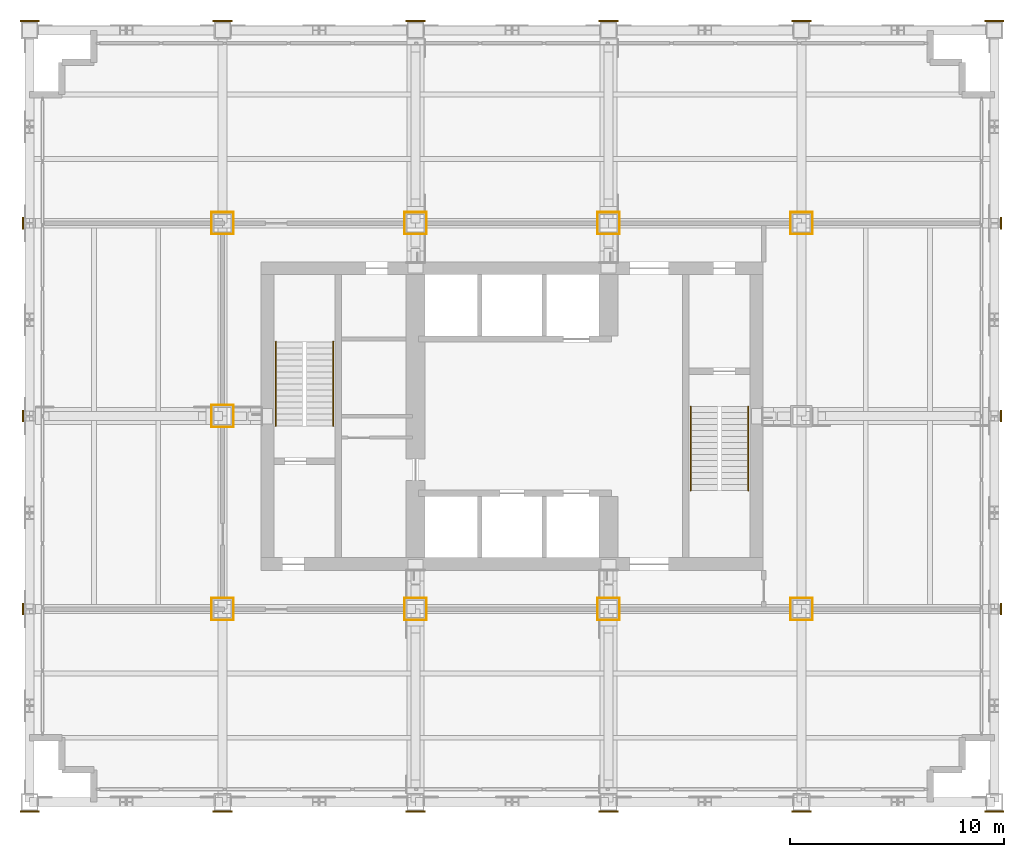
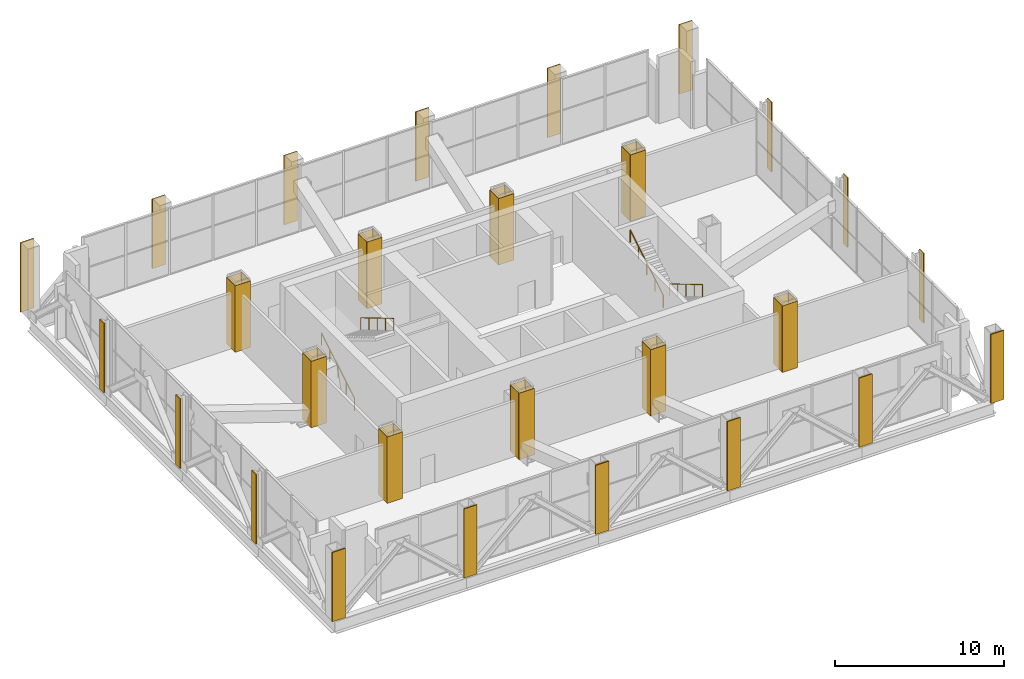
# One storey, part 16 of 16: 54 coverings, 4 railings.
"""IFC4 building model written with IfcOpenShell, lengths in metres."""

import ifcopenshell
import ifcopenshell.guid

model = None  # the IFC model being written
_history = None  # IfcOwnerHistory: only IFC2X3 demands one
_inside = {}  # id of a spatial element -> (the spatial element, [elements in it])
_under = {}  # id of a project, library or spatial element -> (it, [spatial elements below it])
_declared = {}  # id of a project -> (the project, [libraries it declares])
_typed = {}  # id of a type object -> (the type object, [elements of that type])
_made_of = {}  # id of a material, layer set ... -> (it, [elements and type objects made of it])


def new_model(schema):
    """Start an empty IFC model of exactly this schema.

    Asked for "IFC4X3", IfcOpenShell would pick the latest addendum, in which some entities
    have other attributes; the version numbers below select the first issue.
    IFC2X3 requires an IfcOwnerHistory on every rooted entity: one is made here for all.
    """
    global model, _history
    if schema == "IFC4X3":
        model = ifcopenshell.file(schema_version=(4, 3, 0, 0))
    else:
        model = ifcopenshell.file(schema=schema)
    _inside.clear()
    _under.clear()
    _declared.clear()
    _typed.clear()
    _made_of.clear()
    _history = None
    if model.schema == "IFC2X3":
        org = make("IfcOrganization", Name="unknown")
        user = make(
            "IfcPersonAndOrganization",
            ThePerson=make("IfcPerson", FamilyName="unknown"),
            TheOrganization=org,
        )
        app = make(
            "IfcApplication",
            ApplicationDeveloper=org,
            Version="unknown",
            ApplicationFullName="unknown",
            ApplicationIdentifier="unknown",
        )
        _history = make(
            "IfcOwnerHistory",
            OwningUser=user,
            OwningApplication=app,
            ChangeAction="ADDED",
            CreationDate=0,
        )
    return model


def make(cls, **values):
    """One entity of the class cls with the attributes given. An attribute that is None is left unset."""
    return model.create_entity(
        cls, **{name: value for name, value in values.items() if value is not None}
    )


def rooted(cls, **values):
    """An entity with a GlobalId (a new one), such as an element, a storey or a relation."""
    return make(cls, GlobalId=ifcopenshell.guid.new(), OwnerHistory=_history, **values)


def si_unit(unit_type, name, prefix=None):
    """IfcSIUnit, for example si_unit("LENGTHUNIT", "METRE", prefix="MILLI")."""
    return make("IfcSIUnit", UnitType=unit_type, Prefix=prefix, Name=name)


def assignment(units):
    """IfcUnitAssignment: the units of a project."""
    return None if units is None else make("IfcUnitAssignment", Units=units)


def point(xyz):
    """IfcCartesianPoint."""
    return None if xyz is None else make("IfcCartesianPoint", Coordinates=xyz)


def direction(xyz):
    """IfcDirection."""
    return None if xyz is None else make("IfcDirection", DirectionRatios=xyz)


def frame(location, z_axis=None, x_axis=None):
    """IfcAxis2Placement3D, a coordinate frame: its origin and axes. An axis left out is left unset."""
    return make(
        "IfcAxis2Placement3D",
        Location=point(location),
        Axis=direction(z_axis),
        RefDirection=direction(x_axis),
    )


def frame_2d(location, x_axis=None):
    """IfcAxis2Placement2D, a coordinate frame in the plane: its origin and x axis."""
    return make(
        "IfcAxis2Placement2D", Location=point(location), RefDirection=direction(x_axis)
    )


def origin():
    """The frame at (0, 0, 0) with its axes left unset."""
    return frame((0.0, 0.0, 0.0))


def origin_2d():
    """The frame at (0, 0) in the plane with its x axis left unset."""
    return frame_2d((0.0, 0.0))


def place(relative_to, where):
    """IfcLocalPlacement: puts the frame where relative to a parent placement (None: the world)."""
    return make(
        "IfcLocalPlacement", PlacementRelTo=relative_to, RelativePlacement=where
    )


def context(
    kind, dimensions, precision=None, world=None, true_north=None, identifier=None
):
    """IfcGeometricRepresentationContext, for example the 3D "Model" context."""
    return make(
        "IfcGeometricRepresentationContext",
        ContextIdentifier=identifier,
        ContextType=kind,
        CoordinateSpaceDimension=dimensions,
        Precision=precision,
        WorldCoordinateSystem=world,
        TrueNorth=true_north,
    )


def subcontext(parent, identifier, kind, view, scale=None):
    """IfcGeometricRepresentationSubContext, for example "Body" below "Model"."""
    return make(
        "IfcGeometricRepresentationSubContext",
        ContextIdentifier=identifier,
        ContextType=kind,
        ParentContext=parent,
        TargetScale=scale,
        TargetView=view,
    )


def project(units=None, contexts=None):
    """IfcProject with its units and contexts."""
    return rooted(
        "IfcProject",
        Name="project",
        RepresentationContexts=contexts,
        UnitsInContext=assignment(units),
    )


def spatial(cls, under=None, at=None, **own):
    """A site, building, storey or space (cls), placed at a placement, below another one or the project."""
    s = rooted(cls, ObjectPlacement=at, **own)
    if under is not None:
        _under.setdefault(under.id(), (under, []))[1].append(s)
    return s


def profile(cls, at=None, kind="AREA", **sizes):
    """A parametric profile (cls). Its sizes go by their IFC names, for example OverallWidth=200.0."""
    return make(cls, ProfileType=kind, Position=at, **sizes)


def rectangle(**sizes):
    """IfcRectangleProfileDef."""
    return profile("IfcRectangleProfileDef", **sizes)


def circle(**sizes):
    """IfcCircleProfileDef."""
    return profile("IfcCircleProfileDef", **sizes)


def extrude(swept, where, along, depth):
    """IfcExtrudedAreaSolid: the profile swept, set in the frame where, extruded along a direction by depth."""
    return make(
        "IfcExtrudedAreaSolid",
        SweptArea=swept,
        Position=where,
        ExtrudedDirection=direction(along),
        Depth=depth,
    )


def shape(context_of_items, identifier, shape_type, items):
    """IfcShapeRepresentation: the items that make up one representation, for example the "Body"."""
    return make(
        "IfcShapeRepresentation",
        ContextOfItems=context_of_items,
        RepresentationIdentifier=identifier,
        RepresentationType=shape_type,
        Items=items,
    )


def material(Name=None, Category=None):
    """IfcMaterial."""
    return make("IfcMaterial", Name=Name, Category=Category)


def layer(
    of_material, thickness, ventilated=None, Name=None, Category=None, Priority=None
):
    """IfcMaterialLayer: one layer of a wall or slab, of a material (None: an air gap)."""
    return make(
        "IfcMaterialLayer",
        Material=of_material,
        LayerThickness=thickness,
        IsVentilated=ventilated,
        Name=Name,
        Category=Category,
        Priority=Priority,
    )


def layer_set(layers, Name=None):
    """IfcMaterialLayerSet."""
    return make("IfcMaterialLayerSet", MaterialLayers=layers, LayerSetName=Name)


def made_of(thing, what):
    """Note that an element or type object is made of a material, layer set ...; save() writes the relation."""
    if what is not None:
        _made_of.setdefault(what.id(), (what, []))[1].append(thing)
    return thing


def type_object(cls, material=None, **own):
    """A type object (cls), such as IfcWallType, which elements share."""
    return made_of(rooted(cls, **own), material)


def element(
    cls,
    number,
    at=None,
    inside=None,
    cuts=None,
    type_object=None,
    material=None,
    context=None,
    identifier="Body",
    shape_type=None,
    held_by="IfcProductDefinitionShape",
    body=None,
    shapes=None,
    **own,
):
    """One element of the class cls, such as IfcWall. Its Tag is "e" and its number.

    at: its placement. inside: the storey or other place that contains it. cuts: it is an
    opening in that element (IfcRelVoidsElement). A single representation is given by context,
    identifier, shape_type and body (its items); several are given by shapes. held_by: the class
    of the entity that holds the representations. save() writes the other relations.
    """
    e = rooted(cls, Tag="e%d" % number, ObjectPlacement=at, **own)
    if body is not None:
        shapes = [shape(context, identifier, shape_type, body)]
    if shapes is not None:
        e.Representation = make(held_by, Representations=shapes)
    if inside is not None:
        _inside.setdefault(inside.id(), (inside, []))[1].append(e)
    if cuts is not None:
        rooted(
            "IfcRelVoidsElement", RelatingBuildingElement=cuts, RelatedOpeningElement=e
        )
    if type_object is not None:
        _typed.setdefault(type_object.id(), (type_object, []))[1].append(e)
    return made_of(e, material)


def aggregate(whole, parts):
    """IfcRelAggregates: a whole, such as a stair, and the parts it consists of."""
    return rooted("IfcRelAggregates", RelatingObject=whole, RelatedObjects=parts)


def save(model, path):
    """Write the relations noted so far, then the file.

    IfcRelAggregates (storeys below a building ...), IfcRelContainedInSpatialStructure (elements
    in a storey), IfcRelDefinesByType, IfcRelAssociatesMaterial and IfcRelDeclares: one each for
    every whole, place, type object, material and project.
    """
    for whole, parts in _under.values():
        aggregate(whole, parts)
    for where, things in _inside.values():
        rooted(
            "IfcRelContainedInSpatialStructure",
            RelatedElements=things,
            RelatingStructure=where,
        )
    for kind, things in _typed.values():
        rooted("IfcRelDefinesByType", RelatedObjects=things, RelatingType=kind)
    for what, things in _made_of.values():
        rooted("IfcRelAssociatesMaterial", RelatedObjects=things, RelatingMaterial=what)
    for by, libraries in _declared.values():
        rooted("IfcRelDeclares", RelatingContext=by, RelatedDefinitions=libraries)
    model.write(path)


model = new_model("IFC4")

# Units and contexts
model_context = context("Model", 3, precision=1e-05, world=origin(), true_north=direction((0.0, 1.0)))
body_context = subcontext(model_context, "Body", "Model", "MODEL_VIEW")
ifc_project = project(units=[si_unit("LENGTHUNIT", "METRE"), si_unit("AREAUNIT", "SQUARE_METRE"), si_unit("VOLUMEUNIT", "CUBIC_METRE"), si_unit("PLANEANGLEUNIT", "RADIAN"), si_unit("MASSUNIT", "GRAM", prefix="KILO")], contexts=[model_context])

# Site, building, storey
site_placement = place(None, origin())
site = spatial("IfcSite", under=ifc_project, at=site_placement, CompositionType="ELEMENT")
building_placement = place(site_placement, origin())
building = spatial("IfcBuilding", under=site, at=building_placement, Name="Loomwork Tower", CompositionType="ELEMENT")
storey_placement = place(building_placement, frame((0.0, 0.0, 155.39990234375)))
storey = spatial("IfcBuildingStorey", under=building, at=storey_placement, Name="L42", CompositionType="ELEMENT", Elevation=155.39990234375)

# Coverings
ifc_material_1 = material(Name="Two-hour fire-rated gypsum board casing")
ifc_layer_1 = layer(ifc_material_1, 0.02490234375)
ifc_layer_set_1 = layer_set([ifc_layer_1], Name="Column fire casing 25")
covering_type_1 = type_object("IfcCoveringType", Name="Column fire casing 25", PredefinedType="CLADDING", material=ifc_layer_set_1)
for number, where, z_axis, x_axis, name in (
    (1, (9.0, 9.512451171875, 0.0), (0.0, 0.0, 1.0), (1.0, 0.0, 0.0), "Column casing 9 9 L42"),
    (2, (9.0, 8.487548828125, 0.0), (0.0, 0.0, 1.0), (1.0, 0.0, 0.0), "Column casing 9 9 L42"),
):
    element("IfcCovering", number, at=place(storey_placement, frame(where, z_axis=z_axis, x_axis=x_axis)), inside=storey, type_object=covering_type_1, Name=name, PredefinedType="CLADDING", context=body_context, shape_type="SweptSolid", body=[
        extrude(rectangle(XDim=1.050048828125, YDim=0.02490234375, at=origin_2d()), origin(), (0.0, 0.0, 1.0), 4.800048828125),
    ])
for number, where, z_axis, x_axis, name in (
    (3, (9.512451171875, 9.0, 0.0), (0.0, 0.0, 1.0), (1.0, 0.0, 0.0), "Column casing 9 9 L42"),
    (4, (8.487548828125, 9.0, 0.0), (0.0, 0.0, 1.0), (1.0, 0.0, 0.0), "Column casing 9 9 L42"),
):
    element("IfcCovering", number, at=place(storey_placement, frame(where, z_axis=z_axis, x_axis=x_axis)), inside=storey, type_object=covering_type_1, Name=name, PredefinedType="CLADDING", context=body_context, shape_type="SweptSolid", body=[
        extrude(rectangle(XDim=0.02490234375, YDim=1.0, at=origin_2d()), origin(), (0.0, 0.0, 1.0), 4.800048828125),
    ])
for number, where, z_axis, x_axis, name in (
    (5, (9.0, 18.512451171875, 0.0), (0.0, 0.0, 1.0), (1.0, 0.0, 0.0), "Column casing 9 18 L42"),
    (6, (9.0, 17.487548828125, 0.0), (0.0, 0.0, 1.0), (1.0, 0.0, 0.0), "Column casing 9 18 L42"),
):
    element("IfcCovering", number, at=place(storey_placement, frame(where, z_axis=z_axis, x_axis=x_axis)), inside=storey, type_object=covering_type_1, Name=name, PredefinedType="CLADDING", context=body_context, shape_type="SweptSolid", body=[
        extrude(rectangle(XDim=1.050048828125, YDim=0.02490234375, at=origin_2d()), origin(), (0.0, 0.0, 1.0), 4.800048828125),
    ])
for number, where, z_axis, x_axis, name in (
    (7, (9.512451171875, 18.0, 0.0), (0.0, 0.0, 1.0), (1.0, 0.0, 0.0), "Column casing 9 18 L42"),
    (8, (8.487548828125, 18.0, 0.0), (0.0, 0.0, 1.0), (1.0, 0.0, 0.0), "Column casing 9 18 L42"),
):
    element("IfcCovering", number, at=place(storey_placement, frame(where, z_axis=z_axis, x_axis=x_axis)), inside=storey, type_object=covering_type_1, Name=name, PredefinedType="CLADDING", context=body_context, shape_type="SweptSolid", body=[
        extrude(rectangle(XDim=0.02490234375, YDim=1.0, at=origin_2d()), origin(), (0.0, 0.0, 1.0), 4.800048828125),
    ])
for number, where, z_axis, x_axis, name in (
    (9, (9.0, 27.512451171875, 0.0), (0.0, 0.0, 1.0), (1.0, 0.0, 0.0), "Column casing 9 27 L42"),
    (10, (9.0, 26.487548828125, 0.0), (0.0, 0.0, 1.0), (1.0, 0.0, 0.0), "Column casing 9 27 L42"),
):
    element("IfcCovering", number, at=place(storey_placement, frame(where, z_axis=z_axis, x_axis=x_axis)), inside=storey, type_object=covering_type_1, Name=name, PredefinedType="CLADDING", context=body_context, shape_type="SweptSolid", body=[
        extrude(rectangle(XDim=1.050048828125, YDim=0.02490234375, at=origin_2d()), origin(), (0.0, 0.0, 1.0), 4.800048828125),
    ])
for number, where, z_axis, x_axis, name in (
    (11, (9.512451171875, 27.0, 0.0), (0.0, 0.0, 1.0), (1.0, 0.0, 0.0), "Column casing 9 27 L42"),
    (12, (8.487548828125, 27.0, 0.0), (0.0, 0.0, 1.0), (1.0, 0.0, 0.0), "Column casing 9 27 L42"),
):
    element("IfcCovering", number, at=place(storey_placement, frame(where, z_axis=z_axis, x_axis=x_axis)), inside=storey, type_object=covering_type_1, Name=name, PredefinedType="CLADDING", context=body_context, shape_type="SweptSolid", body=[
        extrude(rectangle(XDim=0.02490234375, YDim=1.0, at=origin_2d()), origin(), (0.0, 0.0, 1.0), 4.800048828125),
    ])
for number, where, z_axis, x_axis, name in (
    (13, (18.0, 9.512451171875, 0.0), (0.0, 0.0, 1.0), (1.0, 0.0, 0.0), "Column casing 18 9 L42"),
    (14, (18.0, 8.487548828125, 0.0), (0.0, 0.0, 1.0), (1.0, 0.0, 0.0), "Column casing 18 9 L42"),
):
    element("IfcCovering", number, at=place(storey_placement, frame(where, z_axis=z_axis, x_axis=x_axis)), inside=storey, type_object=covering_type_1, Name=name, PredefinedType="CLADDING", context=body_context, shape_type="SweptSolid", body=[
        extrude(rectangle(XDim=1.050048828125, YDim=0.02490234375, at=origin_2d()), origin(), (0.0, 0.0, 1.0), 4.800048828125),
    ])
for number, where, z_axis, x_axis, name in (
    (15, (18.512451171875, 9.0, 0.0), (0.0, 0.0, 1.0), (1.0, 0.0, 0.0), "Column casing 18 9 L42"),
    (16, (17.487548828125, 9.0, 0.0), (0.0, 0.0, 1.0), (1.0, 0.0, 0.0), "Column casing 18 9 L42"),
):
    element("IfcCovering", number, at=place(storey_placement, frame(where, z_axis=z_axis, x_axis=x_axis)), inside=storey, type_object=covering_type_1, Name=name, PredefinedType="CLADDING", context=body_context, shape_type="SweptSolid", body=[
        extrude(rectangle(XDim=0.02490234375, YDim=1.0, at=origin_2d()), origin(), (0.0, 0.0, 1.0), 4.800048828125),
    ])
for number, where, z_axis, x_axis, name in (
    (17, (18.0, 27.512451171875, 0.0), (0.0, 0.0, 1.0), (1.0, 0.0, 0.0), "Column casing 18 27 L42"),
    (18, (18.0, 26.487548828125, 0.0), (0.0, 0.0, 1.0), (1.0, 0.0, 0.0), "Column casing 18 27 L42"),
):
    element("IfcCovering", number, at=place(storey_placement, frame(where, z_axis=z_axis, x_axis=x_axis)), inside=storey, type_object=covering_type_1, Name=name, PredefinedType="CLADDING", context=body_context, shape_type="SweptSolid", body=[
        extrude(rectangle(XDim=1.050048828125, YDim=0.02490234375, at=origin_2d()), origin(), (0.0, 0.0, 1.0), 4.800048828125),
    ])
for number, where, z_axis, x_axis, name in (
    (19, (18.512451171875, 27.0, 0.0), (0.0, 0.0, 1.0), (1.0, 0.0, 0.0), "Column casing 18 27 L42"),
    (20, (17.487548828125, 27.0, 0.0), (0.0, 0.0, 1.0), (1.0, 0.0, 0.0), "Column casing 18 27 L42"),
):
    element("IfcCovering", number, at=place(storey_placement, frame(where, z_axis=z_axis, x_axis=x_axis)), inside=storey, type_object=covering_type_1, Name=name, PredefinedType="CLADDING", context=body_context, shape_type="SweptSolid", body=[
        extrude(rectangle(XDim=0.02490234375, YDim=1.0, at=origin_2d()), origin(), (0.0, 0.0, 1.0), 4.800048828125),
    ])
for number, where, z_axis, x_axis, name in (
    (21, (27.0, 9.512451171875, 0.0), (0.0, 0.0, 1.0), (1.0, 0.0, 0.0), "Column casing 27 9 L42"),
    (22, (27.0, 8.487548828125, 0.0), (0.0, 0.0, 1.0), (1.0, 0.0, 0.0), "Column casing 27 9 L42"),
):
    element("IfcCovering", number, at=place(storey_placement, frame(where, z_axis=z_axis, x_axis=x_axis)), inside=storey, type_object=covering_type_1, Name=name, PredefinedType="CLADDING", context=body_context, shape_type="SweptSolid", body=[
        extrude(rectangle(XDim=1.050048828125, YDim=0.02490234375, at=origin_2d()), origin(), (0.0, 0.0, 1.0), 4.800048828125),
    ])
for number, where, z_axis, x_axis, name in (
    (23, (27.512451171875, 9.0, 0.0), (0.0, 0.0, 1.0), (1.0, 0.0, 0.0), "Column casing 27 9 L42"),
    (24, (26.487548828125, 9.0, 0.0), (0.0, 0.0, 1.0), (1.0, 0.0, 0.0), "Column casing 27 9 L42"),
):
    element("IfcCovering", number, at=place(storey_placement, frame(where, z_axis=z_axis, x_axis=x_axis)), inside=storey, type_object=covering_type_1, Name=name, PredefinedType="CLADDING", context=body_context, shape_type="SweptSolid", body=[
        extrude(rectangle(XDim=0.02490234375, YDim=1.0, at=origin_2d()), origin(), (0.0, 0.0, 1.0), 4.800048828125),
    ])
for number, where, z_axis, x_axis, name in (
    (25, (27.0, 27.512451171875, 0.0), (0.0, 0.0, 1.0), (1.0, 0.0, 0.0), "Column casing 27 27 L42"),
    (26, (27.0, 26.487548828125, 0.0), (0.0, 0.0, 1.0), (1.0, 0.0, 0.0), "Column casing 27 27 L42"),
):
    element("IfcCovering", number, at=place(storey_placement, frame(where, z_axis=z_axis, x_axis=x_axis)), inside=storey, type_object=covering_type_1, Name=name, PredefinedType="CLADDING", context=body_context, shape_type="SweptSolid", body=[
        extrude(rectangle(XDim=1.050048828125, YDim=0.02490234375, at=origin_2d()), origin(), (0.0, 0.0, 1.0), 4.800048828125),
    ])
for number, where, z_axis, x_axis, name in (
    (27, (27.512451171875, 27.0, 0.0), (0.0, 0.0, 1.0), (1.0, 0.0, 0.0), "Column casing 27 27 L42"),
    (28, (26.487548828125, 27.0, 0.0), (0.0, 0.0, 1.0), (1.0, 0.0, 0.0), "Column casing 27 27 L42"),
):
    element("IfcCovering", number, at=place(storey_placement, frame(where, z_axis=z_axis, x_axis=x_axis)), inside=storey, type_object=covering_type_1, Name=name, PredefinedType="CLADDING", context=body_context, shape_type="SweptSolid", body=[
        extrude(rectangle(XDim=0.02490234375, YDim=1.0, at=origin_2d()), origin(), (0.0, 0.0, 1.0), 4.800048828125),
    ])
for number, where, z_axis, x_axis, name in (
    (29, (36.0, 9.512451171875, 0.0), (0.0, 0.0, 1.0), (1.0, 0.0, 0.0), "Column casing 36 9 L42"),
    (30, (36.0, 8.487548828125, 0.0), (0.0, 0.0, 1.0), (1.0, 0.0, 0.0), "Column casing 36 9 L42"),
):
    element("IfcCovering", number, at=place(storey_placement, frame(where, z_axis=z_axis, x_axis=x_axis)), inside=storey, type_object=covering_type_1, Name=name, PredefinedType="CLADDING", context=body_context, shape_type="SweptSolid", body=[
        extrude(rectangle(XDim=1.050048828125, YDim=0.02490234375, at=origin_2d()), origin(), (0.0, 0.0, 1.0), 4.800048828125),
    ])
for number, where, z_axis, x_axis, name in (
    (31, (36.512451171875, 9.0, 0.0), (0.0, 0.0, 1.0), (1.0, 0.0, 0.0), "Column casing 36 9 L42"),
    (32, (35.487548828125, 9.0, 0.0), (0.0, 0.0, 1.0), (1.0, 0.0, 0.0), "Column casing 36 9 L42"),
):
    element("IfcCovering", number, at=place(storey_placement, frame(where, z_axis=z_axis, x_axis=x_axis)), inside=storey, type_object=covering_type_1, Name=name, PredefinedType="CLADDING", context=body_context, shape_type="SweptSolid", body=[
        extrude(rectangle(XDim=0.02490234375, YDim=1.0, at=origin_2d()), origin(), (0.0, 0.0, 1.0), 4.800048828125),
    ])
for number, where, z_axis, x_axis, name in (
    (33, (36.0, 27.512451171875, 0.0), (0.0, 0.0, 1.0), (1.0, 0.0, 0.0), "Column casing 36 27 L42"),
    (34, (36.0, 26.487548828125, 0.0), (0.0, 0.0, 1.0), (1.0, 0.0, 0.0), "Column casing 36 27 L42"),
):
    element("IfcCovering", number, at=place(storey_placement, frame(where, z_axis=z_axis, x_axis=x_axis)), inside=storey, type_object=covering_type_1, Name=name, PredefinedType="CLADDING", context=body_context, shape_type="SweptSolid", body=[
        extrude(rectangle(XDim=1.050048828125, YDim=0.02490234375, at=origin_2d()), origin(), (0.0, 0.0, 1.0), 4.800048828125),
    ])
for number, where, z_axis, x_axis, name in (
    (35, (36.512451171875, 27.0, 0.0), (0.0, 0.0, 1.0), (1.0, 0.0, 0.0), "Column casing 36 27 L42"),
    (36, (35.487548828125, 27.0, 0.0), (0.0, 0.0, 1.0), (1.0, 0.0, 0.0), "Column casing 36 27 L42"),
):
    element("IfcCovering", number, at=place(storey_placement, frame(where, z_axis=z_axis, x_axis=x_axis)), inside=storey, type_object=covering_type_1, Name=name, PredefinedType="CLADDING", context=body_context, shape_type="SweptSolid", body=[
        extrude(rectangle(XDim=0.02490234375, YDim=1.0, at=origin_2d()), origin(), (0.0, 0.0, 1.0), 4.800048828125),
    ])

# Railings
ifc_material_2 = material(Name="Stainless steel handrail", Category="steel")
railing_type = type_object("IfcRailingType", Name="Handrail 900", PredefinedType="HANDRAIL", material=ifc_material_2)
railing_1_placement = place(storey_placement, frame((11.485107421875, 17.550048828125, 0.166748046875)))
element("IfcRailing", 37, at=railing_1_placement, inside=storey, type_object=railing_type, Name="Stair A handrail flight 1 L42", PredefinedType="HANDRAIL", context=body_context, shape_type="SweptSolid", body=[
    extrude(circle(Radius=0.02392578125, at=origin_2d()), frame((0.0, 0.0, 0.8759765625), z_axis=(0.0, 0.859296244711, 0.511478214419), x_axis=(-1.0, 0.0, 0.0)), (0.0, 0.0, 1.0), 4.561767578125),
    extrude(circle(Radius=0.02099609375, at=origin_2d()), origin(), (0.0, 0.0, 1.0), 0.851806640625),
    extrude(circle(Radius=0.02099609375, at=origin_2d()), frame((0.0, 0.97998046875, 0.583251953125)), (0.0, 0.0, 1.0), 0.851806640625),
    extrude(circle(Radius=0.02099609375, at=origin_2d()), frame((0.0, 1.9599609375, 1.16650390625)), (0.0, 0.0, 1.0), 0.851806640625),
    extrude(circle(Radius=0.02099609375, at=origin_2d()), frame((0.0, 2.93994140625, 1.75)), (0.0, 0.0, 1.0), 0.851806640625),
    extrude(circle(Radius=0.02099609375, at=origin_2d()), frame((0.0, 3.919921875, 2.333251953125)), (0.0, 0.0, 1.0), 0.851806640625),
])
for number, where, name in (
    (38, (14.1650390625, 21.469970703125, 2.666748046875), "Stair A handrail flight 2 L42"),
    (39, (33.514892578125, 18.449951171875, 0.166748046875), "Stair B handrail flight 1 L42"),
):
    element("IfcRailing", number, at=place(storey_placement, frame(where)), inside=storey, type_object=railing_type, Name=name, PredefinedType="HANDRAIL", context=body_context, shape_type="SweptSolid", body=[
        extrude(circle(Radius=0.02392578125, at=origin_2d()), frame((0.0, 0.0, 0.8759765625), z_axis=(0.0, -0.859296244711, 0.511478214419), x_axis=(1.0, 0.0, 0.0)), (0.0, 0.0, 1.0), 4.561767578125),
        extrude(circle(Radius=0.02099609375, at=origin_2d()), origin(), (0.0, 0.0, 1.0), 0.851806640625),
        extrude(circle(Radius=0.02099609375, at=origin_2d()), frame((0.0, -0.97998046875, 0.583251953125)), (0.0, 0.0, 1.0), 0.851806640625),
        extrude(circle(Radius=0.02099609375, at=origin_2d()), frame((0.0, -1.9599609375, 1.16650390625)), (0.0, 0.0, 1.0), 0.851806640625),
        extrude(circle(Radius=0.02099609375, at=origin_2d()), frame((0.0, -2.93994140625, 1.75)), (0.0, 0.0, 1.0), 0.851806640625),
        extrude(circle(Radius=0.02099609375, at=origin_2d()), frame((0.0, -3.919921875, 2.333251953125)), (0.0, 0.0, 1.0), 0.851806640625),
    ])
railing_2_placement = place(storey_placement, frame((30.8349609375, 14.530029296875, 2.666748046875)))
element("IfcRailing", 40, at=railing_2_placement, inside=storey, type_object=railing_type, Name="Stair B handrail flight 2 L42", PredefinedType="HANDRAIL", context=body_context, shape_type="SweptSolid", body=[
    extrude(circle(Radius=0.02392578125, at=origin_2d()), frame((0.0, 0.0, 0.8759765625), z_axis=(0.0, 0.859296244711, 0.511478214419), x_axis=(-1.0, 0.0, 0.0)), (0.0, 0.0, 1.0), 4.561767578125),
    extrude(circle(Radius=0.02099609375, at=origin_2d()), origin(), (0.0, 0.0, 1.0), 0.851806640625),
    extrude(circle(Radius=0.02099609375, at=origin_2d()), frame((0.0, 0.97998046875, 0.583251953125)), (0.0, 0.0, 1.0), 0.851806640625),
    extrude(circle(Radius=0.02099609375, at=origin_2d()), frame((0.0, 1.9599609375, 1.16650390625)), (0.0, 0.0, 1.0), 0.851806640625),
    extrude(circle(Radius=0.02099609375, at=origin_2d()), frame((0.0, 2.93994140625, 1.75)), (0.0, 0.0, 1.0), 0.851806640625),
    extrude(circle(Radius=0.02099609375, at=origin_2d()), frame((0.0, 3.919921875, 2.333251953125)), (0.0, 0.0, 1.0), 0.851806640625),
])

# Coverings
ifc_material_3 = material(Name="Limestone", Category="masonry")
ifc_layer_2 = layer(ifc_material_3, 0.080078125)
ifc_layer_set_2 = layer_set([ifc_layer_2], Name="Limestone pier facing 80")
covering_type_2 = type_object("IfcCoveringType", Name="Limestone pier facing 80", PredefinedType="CLADDING", material=ifc_layer_set_2)
covering_1_placement = place(storey_placement, frame((0.0, -0.43994140625, 0.0), z_axis=(0.0, 0.0, 1.0), x_axis=(1.0, 0.0, 0.0)))
element("IfcCovering", 41, at=covering_1_placement, inside=storey, type_object=covering_type_2, Name="Pier facing D/2 L42", PredefinedType="CLADDING", context=body_context, shape_type="SweptSolid", body=[
    extrude(rectangle(XDim=0.89990234375, YDim=0.080078125, at=origin_2d()), origin(), (0.0, 0.0, 1.0), 5.0),
])
for number, where, z_axis, x_axis, name in (
    (42, (-0.305419921875, 9.0, 0.0), (0.0, 0.0, 1.0), (1.0, 0.0, 0.0), "Pier facing E/2 L42"),
    (43, (-0.305419921875, 18.0, 0.0), (0.0, 0.0, 1.0), (1.0, 0.0, 0.0), "Pier facing F/2 L42"),
    (44, (-0.305419921875, 27.0, 0.0), (0.0, 0.0, 1.0), (1.0, 0.0, 0.0), "Pier facing G/2 L42"),
):
    element("IfcCovering", number, at=place(storey_placement, frame(where, z_axis=z_axis, x_axis=x_axis)), inside=storey, type_object=covering_type_2, Name=name, PredefinedType="CLADDING", context=body_context, shape_type="SweptSolid", body=[
        extrude(rectangle(XDim=0.080078125, YDim=0.5419921875, at=origin_2d()), origin(), (0.0, 0.0, 1.0), 5.0),
    ])
for number, where, z_axis, x_axis, name in (
    (45, (0.0, 36.43994140625, 0.0), (0.0, 0.0, 1.0), (1.0, 0.0, 0.0), "Pier facing H/2 L42"),
    (46, (9.0, -0.43994140625, 0.0), (0.0, 0.0, 1.0), (1.0, 0.0, 0.0), "Pier facing D/3 L42"),
    (47, (9.0, 36.43994140625, 0.0), (0.0, 0.0, 1.0), (1.0, 0.0, 0.0), "Pier facing H/3 L42"),
    (48, (18.0, -0.43994140625, 0.0), (0.0, 0.0, 1.0), (1.0, 0.0, 0.0), "Pier facing D/4 L42"),
    (49, (18.0, 36.43994140625, 0.0), (0.0, 0.0, 1.0), (1.0, 0.0, 0.0), "Pier facing H/4 L42"),
    (50, (27.0, -0.43994140625, 0.0), (0.0, 0.0, 1.0), (1.0, 0.0, 0.0), "Pier facing D/5 L42"),
    (51, (27.0, 36.43994140625, 0.0), (0.0, 0.0, 1.0), (1.0, 0.0, 0.0), "Pier facing H/5 L42"),
    (52, (36.0, -0.43994140625, 0.0), (0.0, 0.0, 1.0), (1.0, 0.0, 0.0), "Pier facing D/6 L42"),
    (53, (36.0, 36.43994140625, 0.0), (0.0, 0.0, 1.0), (1.0, 0.0, 0.0), "Pier facing H/6 L42"),
    (54, (45.0, -0.43994140625, 0.0), (0.0, 0.0, 1.0), (1.0, 0.0, 0.0), "Pier facing D/7 L42"),
):
    element("IfcCovering", number, at=place(storey_placement, frame(where, z_axis=z_axis, x_axis=x_axis)), inside=storey, type_object=covering_type_2, Name=name, PredefinedType="CLADDING", context=body_context, shape_type="SweptSolid", body=[
        extrude(rectangle(XDim=0.89990234375, YDim=0.080078125, at=origin_2d()), origin(), (0.0, 0.0, 1.0), 5.0),
    ])
for number, where, z_axis, x_axis, name in (
    (55, (45.305419921875, 9.0, 0.0), (0.0, 0.0, 1.0), (1.0, 0.0, 0.0), "Pier facing E/7 L42"),
    (56, (45.305419921875, 18.0, 0.0), (0.0, 0.0, 1.0), (1.0, 0.0, 0.0), "Pier facing F/7 L42"),
    (57, (45.305419921875, 27.0, 0.0), (0.0, 0.0, 1.0), (1.0, 0.0, 0.0), "Pier facing G/7 L42"),
):
    element("IfcCovering", number, at=place(storey_placement, frame(where, z_axis=z_axis, x_axis=x_axis)), inside=storey, type_object=covering_type_2, Name=name, PredefinedType="CLADDING", context=body_context, shape_type="SweptSolid", body=[
        extrude(rectangle(XDim=0.080078125, YDim=0.5419921875, at=origin_2d()), origin(), (0.0, 0.0, 1.0), 5.0),
    ])
covering_2_placement = place(storey_placement, frame((45.0, 36.43994140625, 0.0), z_axis=(0.0, 0.0, 1.0), x_axis=(1.0, 0.0, 0.0)))
element("IfcCovering", 58, at=covering_2_placement, inside=storey, type_object=covering_type_2, Name="Pier facing H/7 L42", PredefinedType="CLADDING", context=body_context, shape_type="SweptSolid", body=[
    extrude(rectangle(XDim=0.89990234375, YDim=0.080078125, at=origin_2d()), origin(), (0.0, 0.0, 1.0), 5.0),
])

save(model, "model.ifc")
